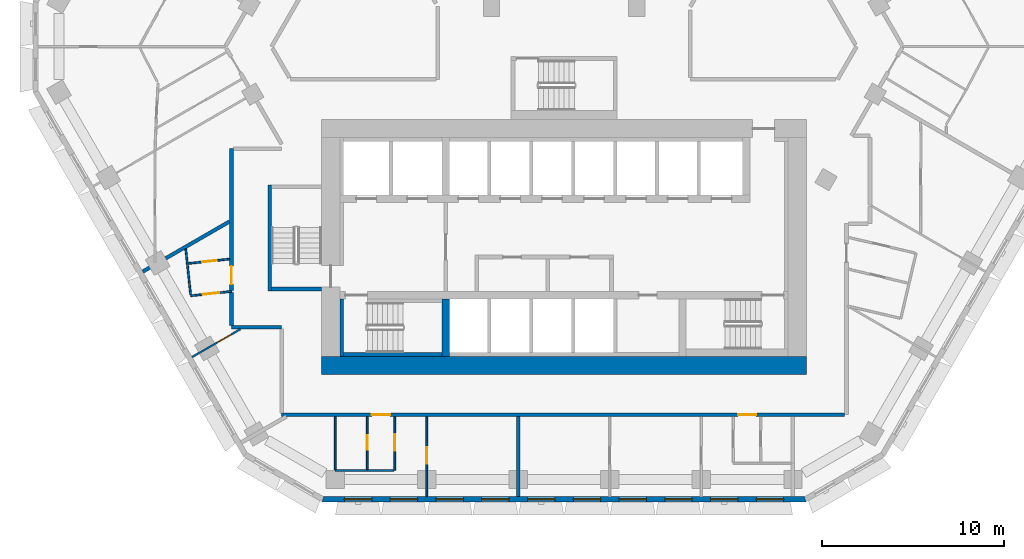
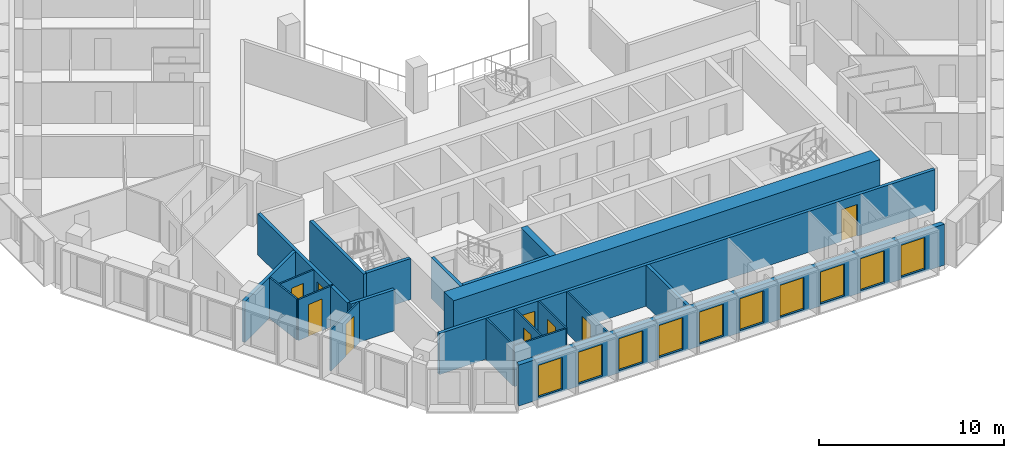
# One storey, part 3 of 18: 22 walls, 10 windows, 9 doors, 19 openings.
"""IFC4 building model written with IfcOpenShell, lengths in metres."""

from ifc_helpers import new_model, si_unit, direction, frame, frame_2d, origin, place, context, subcontext, project, spatial, polyline, rectangle, outline, extrude, material, layer, layer_set, type_object, element, fill, save


model = new_model("IFC4")

# Units and contexts
model_context = context("Model", 3, precision=1e-05, world=origin(), true_north=direction((0.0, 1.0)))
body_context = subcontext(model_context, "Body", "Model", "MODEL_VIEW")
ifc_project = project(units=[si_unit("LENGTHUNIT", "METRE"), si_unit("AREAUNIT", "SQUARE_METRE"), si_unit("VOLUMEUNIT", "CUBIC_METRE"), si_unit("PLANEANGLEUNIT", "RADIAN"), si_unit("MASSUNIT", "GRAM", prefix="KILO")], contexts=[model_context])

# Site, building, storey
site_placement = place(None, origin())
site = spatial("IfcSite", under=ifc_project, at=site_placement, CompositionType="ELEMENT")
building_placement = place(site_placement, origin())
building = spatial("IfcBuilding", under=site, at=building_placement, Name="Beryl Residences", CompositionType="ELEMENT")
storey_placement = place(building_placement, frame((0.0, 0.0, 75.0)))
storey = spatial("IfcBuildingStorey", under=building, at=storey_placement, Name="L22", CompositionType="ELEMENT", Elevation=75.0)

# Wall, openings, windows
ifc_material_1 = material(Name="Composite metal panel with mineral wool insulation")
ifc_layer_1 = layer(ifc_material_1, 0.300048828125)
ifc_layer_set_1 = layer_set([ifc_layer_1], Name="ES1 pale metal composite panel wall 300 mm")
wall_type_1 = type_object("IfcWallType", Name="ES1 pale metal composite panel wall 300 mm", PredefinedType="SOLIDWALL", material=ifc_layer_set_1)
wall_1_placement = place(storey_placement, frame((-13.279052734375, -25.85009765625, 0.0), z_axis=(0.0, 0.0, 1.0), x_axis=(1.0, 0.0, 0.0)))
wall_1 = element("IfcWall", 1, at=wall_1_placement, inside=storey, type_object=wall_type_1, Name="ES1 external wall L22 S", PredefinedType="SOLIDWALL", context=body_context, shape_type="SweptSolid", body=[
    extrude(outline(polyline([(0.0, -0.14990234375), (26.55810546875, -0.14990234375), (26.477783203125, 0.14990234375), (0.080322265625, 0.14990234375), (0.0, -0.14990234375)])), origin(), (0.0, 0.0, 1.0), 2.699951171875),
])
opening_1_placement = place(wall_1_placement, frame((1.22802734375, 0.0, 0.14990234375)))
opening_1 = element("IfcOpeningElement", 2, at=opening_1_placement, cuts=wall_1, Name="Opening W1", PredefinedType="OPENING", context=body_context, shape_type="SweptSolid", body=[
    extrude(rectangle(XDim=1.5, YDim=2.10009765625, at=frame_2d((0.75, 1.050048828125))), frame((0.0, 0.159912109375, 0.0), z_axis=(0.0, -1.0, 0.0), x_axis=(1.0, 0.0, 0.0)), (0.0, 0.0, 1.0), 0.320068359375),
])
opening_2_placement = place(wall_1_placement, frame((3.739013671875, 0.0, 0.14990234375)))
opening_2 = element("IfcOpeningElement", 3, at=opening_2_placement, cuts=wall_1, Name="Opening W1", PredefinedType="OPENING", context=body_context, shape_type="SweptSolid", body=[
    extrude(rectangle(XDim=1.5, YDim=2.10009765625, at=frame_2d((0.75, 1.050048828125))), frame((0.0, 0.159912109375, 0.0), z_axis=(0.0, -1.0, 0.0), x_axis=(1.0, 0.0, 0.0)), (0.0, 0.0, 1.0), 0.320068359375),
])
opening_3_placement = place(wall_1_placement, frame((6.2509765625, 0.0, 0.14990234375)))
opening_3 = element("IfcOpeningElement", 4, at=opening_3_placement, cuts=wall_1, Name="Opening W1", PredefinedType="OPENING", context=body_context, shape_type="SweptSolid", body=[
    extrude(rectangle(XDim=1.5, YDim=2.10009765625, at=frame_2d((0.75, 1.050048828125))), frame((0.0, 0.159912109375, 0.0), z_axis=(0.0, -1.0, 0.0), x_axis=(1.0, 0.0, 0.0)), (0.0, 0.0, 1.0), 0.320068359375),
])
opening_4_placement = place(wall_1_placement, frame((8.761962890625, 0.0, 0.14990234375)))
opening_4 = element("IfcOpeningElement", 5, at=opening_4_placement, cuts=wall_1, Name="Opening W1", PredefinedType="OPENING", context=body_context, shape_type="SweptSolid", body=[
    extrude(rectangle(XDim=1.5, YDim=2.10009765625, at=frame_2d((0.75, 1.050048828125))), frame((0.0, 0.159912109375, 0.0), z_axis=(0.0, -1.0, 0.0), x_axis=(1.0, 0.0, 0.0)), (0.0, 0.0, 1.0), 0.320068359375),
])
opening_5_placement = place(wall_1_placement, frame((11.27392578125, 0.0, 0.14990234375)))
opening_5 = element("IfcOpeningElement", 6, at=opening_5_placement, cuts=wall_1, Name="Opening W1", PredefinedType="OPENING", context=body_context, shape_type="SweptSolid", body=[
    extrude(rectangle(XDim=1.5, YDim=2.10009765625, at=frame_2d((0.75, 1.050048828125))), frame((0.0, 0.159912109375, 0.0), z_axis=(0.0, -1.0, 0.0), x_axis=(1.0, 0.0, 0.0)), (0.0, 0.0, 1.0), 0.320068359375),
])
opening_6_placement = place(wall_1_placement, frame((13.784912109375, 0.0, 0.14990234375)))
opening_6 = element("IfcOpeningElement", 7, at=opening_6_placement, cuts=wall_1, Name="Opening W1", PredefinedType="OPENING", context=body_context, shape_type="SweptSolid", body=[
    extrude(rectangle(XDim=1.5, YDim=2.10009765625, at=frame_2d((0.75, 1.050048828125))), frame((0.0, 0.159912109375, 0.0), z_axis=(0.0, -1.0, 0.0), x_axis=(1.0, 0.0, 0.0)), (0.0, 0.0, 1.0), 0.320068359375),
])
opening_7_placement = place(wall_1_placement, frame((16.297119140625, 0.0, 0.14990234375)))
opening_7 = element("IfcOpeningElement", 8, at=opening_7_placement, cuts=wall_1, Name="Opening W1", PredefinedType="OPENING", context=body_context, shape_type="SweptSolid", body=[
    extrude(rectangle(XDim=1.5, YDim=2.10009765625, at=frame_2d((0.75, 1.050048828125))), frame((0.0, 0.159912109375, 0.0), z_axis=(0.0, -1.0, 0.0), x_axis=(1.0, 0.0, 0.0)), (0.0, 0.0, 1.0), 0.320068359375),
])
opening_8_placement = place(wall_1_placement, frame((18.80810546875, 0.0, 0.14990234375)))
opening_8 = element("IfcOpeningElement", 9, at=opening_8_placement, cuts=wall_1, Name="Opening W1", PredefinedType="OPENING", context=body_context, shape_type="SweptSolid", body=[
    extrude(rectangle(XDim=1.5, YDim=2.10009765625, at=frame_2d((0.75, 1.050048828125))), frame((0.0, 0.159912109375, 0.0), z_axis=(0.0, -1.0, 0.0), x_axis=(1.0, 0.0, 0.0)), (0.0, 0.0, 1.0), 0.320068359375),
])
opening_9_placement = place(wall_1_placement, frame((21.320068359375, 0.0, 0.14990234375)))
opening_9 = element("IfcOpeningElement", 10, at=opening_9_placement, cuts=wall_1, Name="Opening W1", PredefinedType="OPENING", context=body_context, shape_type="SweptSolid", body=[
    extrude(rectangle(XDim=1.5, YDim=2.10009765625, at=frame_2d((0.75, 1.050048828125))), frame((0.0, 0.159912109375, 0.0), z_axis=(0.0, -1.0, 0.0), x_axis=(1.0, 0.0, 0.0)), (0.0, 0.0, 1.0), 0.320068359375),
])
opening_10_placement = place(wall_1_placement, frame((23.8310546875, 0.0, 0.14990234375)))
opening_10 = element("IfcOpeningElement", 11, at=opening_10_placement, cuts=wall_1, Name="Opening W1", PredefinedType="OPENING", context=body_context, shape_type="SweptSolid", body=[
    extrude(rectangle(XDim=1.5, YDim=2.10009765625, at=frame_2d((0.75, 1.050048828125))), frame((0.0, 0.159912109375, 0.0), z_axis=(0.0, -1.0, 0.0), x_axis=(1.0, 0.0, 0.0)), (0.0, 0.0, 1.0), 0.320068359375),
])
ifc_material_2 = material(Name="Aluminium and clear glass", Category="aluminium")
window_type = type_object("IfcWindowType", Name="W1 cell window 1500 x 2100 mm", PartitioningType="SINGLE_PANEL", PredefinedType="WINDOW", material=ifc_material_2)
window_1_placement = place(opening_1_placement, origin())
window_1 = element("IfcWindow", 12, at=window_1_placement, inside=storey, type_object=window_type, Name="W1 window L22 S 1", OverallHeight=2.10009765625, OverallWidth=1.5, PartitioningType="SINGLE_PANEL", PredefinedType="WINDOW", context=body_context, shape_type="SweptSolid", body=[
    extrude(rectangle(XDim=1.5, YDim=2.10009765625, at=frame_2d((0.75, 1.050048828125))), frame((0.0, 0.030029296875, 0.0), z_axis=(0.0, -1.0, 0.0), x_axis=(1.0, 0.0, 0.0)), (0.0, 0.0, 1.0), 0.06005859375),
])
fill(opening_1, window_1)
window_2_placement = place(opening_2_placement, origin())
window_2 = element("IfcWindow", 13, at=window_2_placement, inside=storey, type_object=window_type, Name="W1 window L22 S 2", OverallHeight=2.10009765625, OverallWidth=1.5, PartitioningType="SINGLE_PANEL", PredefinedType="WINDOW", context=body_context, shape_type="SweptSolid", body=[
    extrude(rectangle(XDim=1.5, YDim=2.10009765625, at=frame_2d((0.75, 1.050048828125))), frame((0.0, 0.030029296875, 0.0), z_axis=(0.0, -1.0, 0.0), x_axis=(1.0, 0.0, 0.0)), (0.0, 0.0, 1.0), 0.06005859375),
])
fill(opening_2, window_2)
window_3_placement = place(opening_3_placement, origin())
window_3 = element("IfcWindow", 14, at=window_3_placement, inside=storey, type_object=window_type, Name="W1 window L22 S 3", OverallHeight=2.10009765625, OverallWidth=1.5, PartitioningType="SINGLE_PANEL", PredefinedType="WINDOW", context=body_context, shape_type="SweptSolid", body=[
    extrude(rectangle(XDim=1.5, YDim=2.10009765625, at=frame_2d((0.75, 1.050048828125))), frame((0.0, 0.030029296875, 0.0), z_axis=(0.0, -1.0, 0.0), x_axis=(1.0, 0.0, 0.0)), (0.0, 0.0, 1.0), 0.06005859375),
])
fill(opening_3, window_3)
window_4_placement = place(opening_4_placement, origin())
window_4 = element("IfcWindow", 15, at=window_4_placement, inside=storey, type_object=window_type, Name="W1 window L22 S 4", OverallHeight=2.10009765625, OverallWidth=1.5, PartitioningType="SINGLE_PANEL", PredefinedType="WINDOW", context=body_context, shape_type="SweptSolid", body=[
    extrude(rectangle(XDim=1.5, YDim=2.10009765625, at=frame_2d((0.75, 1.050048828125))), frame((0.0, 0.030029296875, 0.0), z_axis=(0.0, -1.0, 0.0), x_axis=(1.0, 0.0, 0.0)), (0.0, 0.0, 1.0), 0.06005859375),
])
fill(opening_4, window_4)
window_5_placement = place(opening_5_placement, origin())
window_5 = element("IfcWindow", 16, at=window_5_placement, inside=storey, type_object=window_type, Name="W1 window L22 S 5", OverallHeight=2.10009765625, OverallWidth=1.5, PartitioningType="SINGLE_PANEL", PredefinedType="WINDOW", context=body_context, shape_type="SweptSolid", body=[
    extrude(rectangle(XDim=1.5, YDim=2.10009765625, at=frame_2d((0.75, 1.050048828125))), frame((0.0, 0.030029296875, 0.0), z_axis=(0.0, -1.0, 0.0), x_axis=(1.0, 0.0, 0.0)), (0.0, 0.0, 1.0), 0.06005859375),
])
fill(opening_5, window_5)
window_6_placement = place(opening_6_placement, origin())
window_6 = element("IfcWindow", 17, at=window_6_placement, inside=storey, type_object=window_type, Name="W1 window L22 S 6", OverallHeight=2.10009765625, OverallWidth=1.5, PartitioningType="SINGLE_PANEL", PredefinedType="WINDOW", context=body_context, shape_type="SweptSolid", body=[
    extrude(rectangle(XDim=1.5, YDim=2.10009765625, at=frame_2d((0.75, 1.050048828125))), frame((0.0, 0.030029296875, 0.0), z_axis=(0.0, -1.0, 0.0), x_axis=(1.0, 0.0, 0.0)), (0.0, 0.0, 1.0), 0.06005859375),
])
fill(opening_6, window_6)
window_7_placement = place(opening_7_placement, origin())
window_7 = element("IfcWindow", 18, at=window_7_placement, inside=storey, type_object=window_type, Name="W1 window L22 S 7", OverallHeight=2.10009765625, OverallWidth=1.5, PartitioningType="SINGLE_PANEL", PredefinedType="WINDOW", context=body_context, shape_type="SweptSolid", body=[
    extrude(rectangle(XDim=1.5, YDim=2.10009765625, at=frame_2d((0.75, 1.050048828125))), frame((0.0, 0.030029296875, 0.0), z_axis=(0.0, -1.0, 0.0), x_axis=(1.0, 0.0, 0.0)), (0.0, 0.0, 1.0), 0.06005859375),
])
fill(opening_7, window_7)
window_8_placement = place(opening_8_placement, origin())
window_8 = element("IfcWindow", 19, at=window_8_placement, inside=storey, type_object=window_type, Name="W1 window L22 S 8", OverallHeight=2.10009765625, OverallWidth=1.5, PartitioningType="SINGLE_PANEL", PredefinedType="WINDOW", context=body_context, shape_type="SweptSolid", body=[
    extrude(rectangle(XDim=1.5, YDim=2.10009765625, at=frame_2d((0.75, 1.050048828125))), frame((0.0, 0.030029296875, 0.0), z_axis=(0.0, -1.0, 0.0), x_axis=(1.0, 0.0, 0.0)), (0.0, 0.0, 1.0), 0.06005859375),
])
fill(opening_8, window_8)
window_9_placement = place(opening_9_placement, origin())
window_9 = element("IfcWindow", 20, at=window_9_placement, inside=storey, type_object=window_type, Name="W1 window L22 S 9", OverallHeight=2.10009765625, OverallWidth=1.5, PartitioningType="SINGLE_PANEL", PredefinedType="WINDOW", context=body_context, shape_type="SweptSolid", body=[
    extrude(rectangle(XDim=1.5, YDim=2.10009765625, at=frame_2d((0.75, 1.050048828125))), frame((0.0, 0.030029296875, 0.0), z_axis=(0.0, -1.0, 0.0), x_axis=(1.0, 0.0, 0.0)), (0.0, 0.0, 1.0), 0.06005859375),
])
fill(opening_9, window_9)
window_10_placement = place(opening_10_placement, origin())
window_10 = element("IfcWindow", 21, at=window_10_placement, inside=storey, type_object=window_type, Name="W1 window L22 S 10", OverallHeight=2.10009765625, OverallWidth=1.5, PartitioningType="SINGLE_PANEL", PredefinedType="WINDOW", context=body_context, shape_type="SweptSolid", body=[
    extrude(rectangle(XDim=1.5, YDim=2.10009765625, at=frame_2d((0.75, 1.050048828125))), frame((0.0, 0.030029296875, 0.0), z_axis=(0.0, -1.0, 0.0), x_axis=(1.0, 0.0, 0.0)), (0.0, 0.0, 1.0), 0.06005859375),
])
fill(opening_10, window_10)

# Wall
ifc_material_3 = material(Name="Gypsum board partition on steel studs", Category="steel")
ifc_layer_2 = layer(ifc_material_3, 0.10009765625)
ifc_layer_set_2 = layer_set([ifc_layer_2], Name="PT1 partition 100 mm gypsum board on steel studs")
wall_type_2 = type_object("IfcWallType", Name="PT1 partition 100 mm gypsum board on steel studs", PredefinedType="PARTITIONING", material=ifc_layer_set_2)
wall_2_placement = place(storey_placement, frame((-20.761962890625, -12.10205078125, 0.0), z_axis=(0.0, 0.0, 1.0), x_axis=(0.106118300401, -0.994353511745, 0.0)))
element("IfcWall", 22, at=wall_2_placement, inside=storey, type_object=wall_type_2, Name="Wall PT1 L22 010", PredefinedType="PARTITIONING", context=body_context, shape_type="SweptSolid", body=[
    extrude(rectangle(XDim=2.535400390625, YDim=0.10009765625, at=frame_2d((1.267578125, 0.0))), origin(), (0.0, 0.0, 1.0), 2.699951171875),
])

# Wall, opening, door
wall_3_placement = place(storey_placement, frame((-7.533935546875, -21.300048828125, 0.0), z_axis=(0.0, 0.0, 1.0), x_axis=(0.0, -1.0, 0.0)))
wall_3 = element("IfcWall", 23, at=wall_3_placement, inside=storey, type_object=wall_type_2, Name="Wall PT1 L22 014", PredefinedType="PARTITIONING", context=body_context, shape_type="SweptSolid", body=[
    extrude(rectangle(XDim=4.39990234375, YDim=0.10009765625, at=frame_2d((2.199951171875, 0.0))), origin(), (0.0, 0.0, 1.0), 2.699951171875),
])
opening_11_placement = place(wall_3_placement, frame((1.699951171875, 0.0, 0.0)))
opening_11 = element("IfcOpeningElement", 24, at=opening_11_placement, cuts=wall_3, Name="Opening D0632", PredefinedType="OPENING", context=body_context, shape_type="SweptSolid", body=[
    extrude(rectangle(XDim=0.89990234375, YDim=2.10009765625, at=frame_2d((0.449951171875, 1.050048828125))), frame((0.0, 0.06005859375, 0.0), z_axis=(0.0, -1.0, 0.0), x_axis=(1.0, 0.0, 0.0)), (0.0, 0.0, 1.0), 0.1201171875),
])
ifc_material_4 = material(Name="Timber door leaf", Category="wood")
door_type_1 = type_object("IfcDoorType", Name="D2 room door 900 x 2100 mm", OperationType="SINGLE_SWING_LEFT", PredefinedType="DOOR", material=ifc_material_4)
door_1_placement = place(opening_11_placement, origin())
door_1 = element("IfcDoor", 25, at=door_1_placement, inside=storey, type_object=door_type_1, Name="Door D0632 L22 001", OperationType="SINGLE_SWING_RIGHT", OverallHeight=2.10009765625, OverallWidth=0.89990234375, PredefinedType="DOOR", context=body_context, shape_type="SweptSolid", body=[
    extrude(rectangle(XDim=0.89990234375, YDim=2.10009765625, at=frame_2d((0.449951171875, 1.050048828125))), frame((0.0, 0.02490234375, 0.0), z_axis=(0.0, -1.0, 0.0), x_axis=(1.0, 0.0, 0.0)), (0.0, 0.0, 1.0), 0.050048828125),
])
fill(opening_11, door_1)

# Walls
wall_4_placement = place(storey_placement, frame((-12.556884765625, -21.300048828125, 0.0), z_axis=(0.0, 0.0, 1.0), x_axis=(0.0, -1.0, 0.0)))
element("IfcWall", 26, at=wall_4_placement, inside=storey, type_object=wall_type_2, Name="Wall PT1 L22 015", PredefinedType="PARTITIONING", context=body_context, shape_type="SweptSolid", body=[
    extrude(rectangle(XDim=2.908935546875, YDim=0.10009765625, at=frame_2d((1.45458984375, 0.0))), origin(), (0.0, 0.0, 1.0), 2.699951171875),
])
wall_5_placement = place(storey_placement, frame((-12.555908203125, -24.260009765625, 0.0), z_axis=(0.0, 0.0, 1.0), x_axis=(1.0, 0.0, 0.0)))
element("IfcWall", 27, at=wall_5_placement, inside=storey, type_object=wall_type_2, Name="Wall PT1 L22 035", PredefinedType="PARTITIONING", context=body_context, shape_type="SweptSolid", body=[
    extrude(rectangle(XDim=3.212890625, YDim=0.10009765625, at=frame_2d((1.6064453125, 0.0))), origin(), (0.0, 0.0, 1.0), 2.699951171875),
])

# Wall, opening, door
wall_6_placement = place(storey_placement, frame((-20.6259765625, -12.902099609375, 0.0), z_axis=(0.0, 0.0, 1.0), x_axis=(0.994385570266, 0.105817473257, 0.0)))
wall_6 = element("IfcWall", 28, at=wall_6_placement, inside=storey, type_object=wall_type_2, Name="Wall PT1 L22 038", PredefinedType="PARTITIONING", context=body_context, shape_type="SweptSolid", body=[
    extrude(rectangle(XDim=2.288818359375, YDim=0.10009765625, at=frame_2d((1.14453125, 0.0))), origin(), (0.0, 0.0, 1.0), 2.699951171875),
])
opening_12_placement = place(wall_6_placement, frame((0.77001953125, 0.0, 0.0)))
opening_12 = element("IfcOpeningElement", 29, at=opening_12_placement, cuts=wall_6, Name="Opening D0627", PredefinedType="OPENING", context=body_context, shape_type="SweptSolid", body=[
    extrude(rectangle(XDim=0.800048828125, YDim=2.10009765625, at=frame_2d((0.39990234375, 1.050048828125))), frame((0.0, 0.06005859375, 0.0), z_axis=(0.0, -1.0, 0.0), x_axis=(1.0, 0.0, 0.0)), (0.0, 0.0, 1.0), 0.1201171875),
])
ifc_material_5 = material(Name="Timber door leaf", Category="wood")
door_type_2 = type_object("IfcDoorType", Name="D3 bathroom door 800 x 2100 mm", OperationType="SINGLE_SWING_LEFT", PredefinedType="DOOR", material=ifc_material_5)
door_2_placement = place(opening_12_placement, origin())
door_2 = element("IfcDoor", 30, at=door_2_placement, inside=storey, type_object=door_type_2, Name="Door D0627 L22 001", OperationType="SINGLE_SWING_LEFT", OverallHeight=2.10009765625, OverallWidth=0.800048828125, PredefinedType="DOOR", context=body_context, shape_type="SweptSolid", body=[
    extrude(rectangle(XDim=0.800048828125, YDim=2.10009765625, at=frame_2d((0.39990234375, 1.050048828125))), frame((0.0, 0.02490234375, 0.0), z_axis=(0.0, -1.0, 0.0), x_axis=(1.0, 0.0, 0.0)), (0.0, 0.0, 1.0), 0.050048828125),
])
fill(opening_12, door_2)

wall_7_placement = place(storey_placement, frame((-20.487060546875, -14.674072265625, 0.0), z_axis=(0.0, 0.0, 1.0), x_axis=(0.994386484046, 0.105808885948, 0.0)))
wall_7 = element("IfcWall", 31, at=wall_7_placement, inside=storey, type_object=wall_type_2, Name="Wall PT1 L22 039", PredefinedType="PARTITIONING", context=body_context, shape_type="SweptSolid", body=[
    extrude(rectangle(XDim=2.249755859375, YDim=0.10009765625, at=frame_2d((1.125, 0.0))), origin(), (0.0, 0.0, 1.0), 2.699951171875),
])
opening_13_placement = place(wall_7_placement, frame((0.674072265625, 0.0, 0.0)))
opening_13 = element("IfcOpeningElement", 32, at=opening_13_placement, cuts=wall_7, Name="Opening D0626", PredefinedType="OPENING", context=body_context, shape_type="SweptSolid", body=[
    extrude(rectangle(XDim=0.89990234375, YDim=2.10009765625, at=frame_2d((0.449951171875, 1.050048828125))), frame((0.0, 0.06005859375, 0.0), z_axis=(0.0, -1.0, 0.0), x_axis=(1.0, 0.0, 0.0)), (0.0, 0.0, 1.0), 0.1201171875),
])
door_3_placement = place(opening_13_placement, origin())
door_3 = element("IfcDoor", 33, at=door_3_placement, inside=storey, type_object=door_type_1, Name="Door D0626 L22 001", OperationType="SINGLE_SWING_RIGHT", OverallHeight=2.10009765625, OverallWidth=0.89990234375, PredefinedType="DOOR", context=body_context, shape_type="SweptSolid", body=[
    extrude(rectangle(XDim=0.89990234375, YDim=2.10009765625, at=frame_2d((0.449951171875, 1.050048828125))), frame((0.0, 0.02490234375, 0.0), z_axis=(0.0, -1.0, 0.0), x_axis=(1.0, 0.0, 0.0)), (0.0, 0.0, 1.0), 0.050048828125),
])
fill(opening_13, door_3)

wall_8_placement = place(storey_placement, frame((-9.2919921875, -24.259033203125, 0.0), z_axis=(0.0, 0.0, 1.0), x_axis=(0.0, 1.0, 0.0)))
wall_8 = element("IfcWall", 34, at=wall_8_placement, inside=storey, type_object=wall_type_2, Name="Wall PT1 L22 062", PredefinedType="PARTITIONING", context=body_context, shape_type="SweptSolid", body=[
    extrude(rectangle(XDim=2.958984375, YDim=0.10009765625, at=frame_2d((1.4794921875, 0.0))), origin(), (0.0, 0.0, 1.0), 2.699951171875),
])
opening_14_placement = place(wall_8_placement, frame((1.0791015625, 0.0, 0.0)))
opening_14 = element("IfcOpeningElement", 35, at=opening_14_placement, cuts=wall_8, Name="Opening D0630", PredefinedType="OPENING", context=body_context, shape_type="SweptSolid", body=[
    extrude(rectangle(XDim=0.89990234375, YDim=2.10009765625, at=frame_2d((0.449951171875, 1.050048828125))), frame((0.0, 0.06005859375, 0.0), z_axis=(0.0, -1.0, 0.0), x_axis=(1.0, 0.0, 0.0)), (0.0, 0.0, 1.0), 0.1201171875),
])
door_4_placement = place(opening_14_placement, origin())
door_4 = element("IfcDoor", 36, at=door_4_placement, inside=storey, type_object=door_type_1, Name="Door D0630 L22 001", OperationType="SINGLE_SWING_RIGHT", OverallHeight=2.10009765625, OverallWidth=0.89990234375, PredefinedType="DOOR", context=body_context, shape_type="SweptSolid", body=[
    extrude(rectangle(XDim=0.89990234375, YDim=2.10009765625, at=frame_2d((0.449951171875, 1.050048828125))), frame((0.0, 0.02490234375, 0.0), z_axis=(0.0, -1.0, 0.0), x_axis=(1.0, 0.0, 0.0)), (0.0, 0.0, 1.0), 0.050048828125),
])
fill(opening_14, door_4)

wall_9_placement = place(storey_placement, frame((-10.799072265625, -24.2099609375, 0.0), z_axis=(0.0, 0.0, 1.0), x_axis=(0.0, 1.0, 0.0)))
wall_9 = element("IfcWall", 37, at=wall_9_placement, inside=storey, type_object=wall_type_2, Name="Wall PT1 L22 063", PredefinedType="PARTITIONING", context=body_context, shape_type="SweptSolid", body=[
    extrude(rectangle(XDim=2.909912109375, YDim=0.10009765625, at=frame_2d((1.455078125, 0.0))), origin(), (0.0, 0.0, 1.0), 2.699951171875),
])
opening_15_placement = place(wall_9_placement, frame((1.080078125, 0.0, 0.0)))
opening_15 = element("IfcOpeningElement", 38, at=opening_15_placement, cuts=wall_9, Name="Opening D0631", PredefinedType="OPENING", context=body_context, shape_type="SweptSolid", body=[
    extrude(rectangle(XDim=0.800048828125, YDim=2.10009765625, at=frame_2d((0.39990234375, 1.050048828125))), frame((0.0, 0.06005859375, 0.0), z_axis=(0.0, -1.0, 0.0), x_axis=(1.0, 0.0, 0.0)), (0.0, 0.0, 1.0), 0.1201171875),
])
door_5_placement = place(opening_15_placement, origin())
door_5 = element("IfcDoor", 39, at=door_5_placement, inside=storey, type_object=door_type_2, Name="Door D0631 L22 001", OperationType="SINGLE_SWING_LEFT", OverallHeight=2.10009765625, OverallWidth=0.800048828125, PredefinedType="DOOR", context=body_context, shape_type="SweptSolid", body=[
    extrude(rectangle(XDim=0.800048828125, YDim=2.10009765625, at=frame_2d((0.39990234375, 1.050048828125))), frame((0.0, 0.02490234375, 0.0), z_axis=(0.0, -1.0, 0.0), x_axis=(1.0, 0.0, 0.0)), (0.0, 0.0, 1.0), 0.050048828125),
])
fill(opening_15, door_5)

wall_10_placement = place(storey_placement, frame((-20.416015625, -18.0380859375, 0.0), z_axis=(0.0, 0.0, 1.0), x_axis=(0.866026989333, 0.499997253739, 0.0)))
wall_10 = element("IfcWall", 40, at=wall_10_placement, inside=storey, type_object=wall_type_2, Name="Wall PT1 L22 069", PredefinedType="PARTITIONING", context=body_context, shape_type="SweptSolid", body=[
    extrude(rectangle(XDim=3.076171875, YDim=0.10009765625, at=frame_2d((1.5380859375, 0.0))), origin(), (0.0, 0.0, 1.0), 2.699951171875),
])
opening_16_placement = place(wall_10_placement, frame((1.587890625, 0.0, 0.0)))
opening_16 = element("IfcOpeningElement", 41, at=opening_16_placement, cuts=wall_10, Name="Opening D0628", PredefinedType="OPENING", context=body_context, shape_type="SweptSolid", body=[
    extrude(rectangle(XDim=0.89990234375, YDim=2.10009765625, at=frame_2d((0.449951171875, 1.050048828125))), frame((0.0, 0.06005859375, 0.0), z_axis=(0.0, -1.0, 0.0), x_axis=(1.0, 0.0, 0.0)), (0.0, 0.0, 1.0), 0.1201171875),
])
door_6_placement = place(opening_16_placement, origin())
door_6 = element("IfcDoor", 42, at=door_6_placement, inside=storey, type_object=door_type_1, Name="Door D0628 L22 001", OperationType="SINGLE_SWING_RIGHT", OverallHeight=2.10009765625, OverallWidth=0.89990234375, PredefinedType="DOOR", context=body_context, shape_type="SweptSolid", body=[
    extrude(rectangle(XDim=0.89990234375, YDim=2.10009765625, at=frame_2d((0.449951171875, 1.050048828125))), frame((0.0, 0.02490234375, 0.0), z_axis=(0.0, -1.0, 0.0), x_axis=(1.0, 0.0, 0.0)), (0.0, 0.0, 1.0), 0.050048828125),
])
fill(opening_16, door_6)

# Walls
ifc_material_6 = material(Name="Acoustic double stud gypsum board wall")
ifc_layer_3 = layer(ifc_material_6, 0.199951171875)
ifc_layer_set_3 = layer_set([ifc_layer_3], Name="PT3 party wall 200 mm acoustic double stud")
wall_type_3 = type_object("IfcWallType", Name="PT3 party wall 200 mm acoustic double stud", PredefinedType="PARTITIONING", material=ifc_layer_set_3)
wall_11_placement = place(storey_placement, frame((-2.510986328125, -25.699951171875, 0.0), z_axis=(0.0, 0.0, 1.0), x_axis=(0.0, 1.0, 0.0)))
element("IfcWall", 43, at=wall_11_placement, inside=storey, type_object=wall_type_3, Name="Wall PT3 L22 008", PredefinedType="PARTITIONING", context=body_context, shape_type="SweptSolid", body=[
    extrude(rectangle(XDim=4.39990234375, YDim=0.199951171875, at=frame_2d((2.199951171875, 0.0))), origin(), (0.0, 0.0, 1.0), 2.699951171875),
])
wall_12_placement = place(storey_placement, frame((-23.123046875, -13.35009765625, 0.0), z_axis=(0.0, 0.0, 1.0), x_axis=(0.866013095437, 0.500021318078, 0.0)))
element("IfcWall", 44, at=wall_12_placement, inside=storey, type_object=wall_type_3, Name="Wall PT3 L22 011", PredefinedType="PARTITIONING", context=body_context, shape_type="SweptSolid", body=[
    extrude(rectangle(XDim=5.491943359375, YDim=0.199951171875, at=frame_2d((2.74609375, 0.0))), origin(), (0.0, 0.0, 1.0), 2.699951171875),
])
ifc_material_7 = material(Name="Double stud gypsum board wall")
ifc_layer_4 = layer(ifc_material_7, 0.199951171875)
ifc_layer_set_4 = layer_set([ifc_layer_4], Name="PT4 corridor wall 200 mm double stud")
wall_type_4 = type_object("IfcWallType", Name="PT4 corridor wall 200 mm double stud", PredefinedType="PARTITIONING", material=ifc_layer_set_4)
wall_13_placement = place(storey_placement, frame((-18.25, -14.486083984375, 0.0), z_axis=(0.0, 0.0, 1.0), x_axis=(0.0, -1.0, 0.0)))
element("IfcWall", 45, at=wall_13_placement, inside=storey, type_object=wall_type_4, Name="Wall PT4 L22 008", PredefinedType="PARTITIONING", context=body_context, shape_type="SweptSolid", body=[
    extrude(rectangle(XDim=1.81298828125, YDim=0.199951171875, at=frame_2d((0.906494140625, 0.0))), origin(), (0.0, 0.0, 1.0), 2.699951171875),
])
wall_14_placement = place(storey_placement, frame((-18.2490234375, -16.39990234375, 0.0), z_axis=(0.0, 0.0, 1.0), x_axis=(1.0, 0.0, 0.0)))
element("IfcWall", 46, at=wall_14_placement, inside=storey, type_object=wall_type_4, Name="Wall PT4 L22 015", PredefinedType="PARTITIONING", context=body_context, shape_type="SweptSolid", body=[
    extrude(rectangle(XDim=2.748046875, YDim=0.199951171875, at=frame_2d((1.3740234375, 0.0))), origin(), (0.0, 0.0, 1.0), 2.699951171875),
])

# Wall, openings, doors
wall_15_placement = place(storey_placement, frame((-15.4990234375, -21.199951171875, 0.0), z_axis=(0.0, 0.0, 1.0), x_axis=(1.0, 0.0, 0.0)))
wall_15 = element("IfcWall", 47, at=wall_15_placement, inside=storey, type_object=wall_type_4, Name="Wall PT4 L22 016", PredefinedType="PARTITIONING", context=body_context, shape_type="SweptSolid", body=[
    extrude(rectangle(XDim=30.89794921875, YDim=0.199951171875, at=frame_2d((15.448974609375, 0.0))), origin(), (0.0, 0.0, 1.0), 2.699951171875),
])
opening_17_placement = place(wall_15_placement, frame((4.9541015625, 0.0, 0.0)))
opening_17 = element("IfcOpeningElement", 48, at=opening_17_placement, cuts=wall_15, Name="Opening D0629", PredefinedType="OPENING", context=body_context, shape_type="SweptSolid", body=[
    extrude(rectangle(XDim=1.0, YDim=2.10009765625, at=frame_2d((0.5, 1.050048828125))), frame((0.0, 0.10986328125, 0.0), z_axis=(0.0, -1.0, 0.0), x_axis=(1.0, 0.0, 0.0)), (0.0, 0.0, 1.0), 0.219970703125),
])
opening_18_placement = place(wall_15_placement, frame((25.0458984375, 0.0, 0.0)))
opening_18 = element("IfcOpeningElement", 49, at=opening_18_placement, cuts=wall_15, Name="Opening D0633", PredefinedType="OPENING", context=body_context, shape_type="SweptSolid", body=[
    extrude(rectangle(XDim=1.0, YDim=2.10009765625, at=frame_2d((0.5, 1.050048828125))), frame((0.0, 0.10986328125, 0.0), z_axis=(0.0, -1.0, 0.0), x_axis=(1.0, 0.0, 0.0)), (0.0, 0.0, 1.0), 0.219970703125),
])
ifc_material_8 = material(Name="Timber door leaf", Category="wood")
door_type_3 = type_object("IfcDoorType", Name="D1 flat entrance door 1000 x 2100 mm", OperationType="SINGLE_SWING_LEFT", PredefinedType="DOOR", material=ifc_material_8)
door_7_placement = place(opening_17_placement, origin())
door_7 = element("IfcDoor", 50, at=door_7_placement, inside=storey, type_object=door_type_3, Name="Door D0629 L22 001", OperationType="SINGLE_SWING_LEFT", OverallHeight=2.10009765625, OverallWidth=1.0, PredefinedType="DOOR", context=body_context, shape_type="SweptSolid", body=[
    extrude(rectangle(XDim=1.0, YDim=2.10009765625, at=frame_2d((0.5, 1.050048828125))), frame((0.0, 0.02490234375, 0.0), z_axis=(0.0, -1.0, 0.0), x_axis=(1.0, 0.0, 0.0)), (0.0, 0.0, 1.0), 0.050048828125),
])
fill(opening_17, door_7)
door_8_placement = place(opening_18_placement, origin())
door_8 = element("IfcDoor", 51, at=door_8_placement, inside=storey, type_object=door_type_3, Name="Door D0633 L22 001", OperationType="SINGLE_SWING_LEFT", OverallHeight=2.10009765625, OverallWidth=1.0, PredefinedType="DOOR", context=body_context, shape_type="SweptSolid", body=[
    extrude(rectangle(XDim=1.0, YDim=2.10009765625, at=frame_2d((0.5, 1.050048828125))), frame((0.0, 0.02490234375, 0.0), z_axis=(0.0, -1.0, 0.0), x_axis=(1.0, 0.0, 0.0)), (0.0, 0.0, 1.0), 0.050048828125),
])
fill(opening_18, door_8)

# Wall, opening, door
wall_16_placement = place(storey_placement, frame((-18.25, -14.385986328125, 0.0), z_axis=(0.0, 0.0, 1.0), x_axis=(0.0, 1.0, 0.0)))
wall_16 = element("IfcWall", 52, at=wall_16_placement, inside=storey, type_object=wall_type_4, Name="Wall PT4 L22 033", PredefinedType="PARTITIONING", context=body_context, shape_type="SweptSolid", body=[
    extrude(rectangle(XDim=7.785888671875, YDim=0.199951171875, at=frame_2d((3.89306640625, 0.0))), origin(), (0.0, 0.0, 1.0), 2.699951171875),
])
opening_19_placement = place(wall_16_placement, frame((0.340087890625, 0.0, 0.0)))
opening_19 = element("IfcOpeningElement", 53, at=opening_19_placement, cuts=wall_16, Name="Opening D0625", PredefinedType="OPENING", context=body_context, shape_type="SweptSolid", body=[
    extrude(rectangle(XDim=1.0, YDim=2.10009765625, at=frame_2d((0.5, 1.050048828125))), frame((0.0, 0.10986328125, 0.0), z_axis=(0.0, -1.0, 0.0), x_axis=(1.0, 0.0, 0.0)), (0.0, 0.0, 1.0), 0.219970703125),
])
door_9_placement = place(opening_19_placement, origin())
door_9 = element("IfcDoor", 54, at=door_9_placement, inside=storey, type_object=door_type_3, Name="Door D0625 L22 001", OperationType="SINGLE_SWING_LEFT", OverallHeight=2.10009765625, OverallWidth=1.0, PredefinedType="DOOR", context=body_context, shape_type="SweptSolid", body=[
    extrude(rectangle(XDim=1.0, YDim=2.10009765625, at=frame_2d((0.5, 1.050048828125))), frame((0.0, 0.02490234375, 0.0), z_axis=(0.0, -1.0, 0.0), x_axis=(1.0, 0.0, 0.0)), (0.0, 0.0, 1.0), 0.050048828125),
])
fill(opening_19, door_9)

# Walls
ifc_material_9 = material(Name="Concrete C40/50", Category="concrete")
ifc_layer_5 = layer(ifc_material_9, 0.199951171875)
ifc_layer_set_5 = layer_set([ifc_layer_5], Name="PT5 stair enclosure wall 200 mm reinforced concrete C40/50")
wall_type_5 = type_object("IfcWallType", Name="PT5 stair enclosure wall 200 mm reinforced concrete C40/50", PredefinedType="SOLIDWALL", material=ifc_layer_set_5)
wall_17_placement = place(storey_placement, frame((-16.14990234375, -14.39990234375, 0.0), z_axis=(0.0, 0.0, 1.0), x_axis=(0.0, 1.0, 0.0)))
element("IfcWall", 55, at=wall_17_placement, inside=storey, type_object=wall_type_5, Name="Stair wall 01", PredefinedType="SOLIDWALL", context=body_context, shape_type="SweptSolid", body=[
    extrude(rectangle(XDim=5.7998046875, YDim=0.199951171875, at=frame_2d((2.89990234375, 0.0))), origin(), (0.0, 0.0, 1.0), 2.699951171875),
])
wall_18_placement = place(storey_placement, frame((-16.050048828125, -14.300048828125, 0.0), z_axis=(0.0, 0.0, 1.0), x_axis=(1.0, 0.0, 0.0)))
element("IfcWall", 56, at=wall_18_placement, inside=storey, type_object=wall_type_5, Name="Stair wall 02", PredefinedType="SOLIDWALL", context=body_context, shape_type="SweptSolid", body=[
    extrude(rectangle(XDim=2.75, YDim=0.199951171875, at=frame_2d((1.375, 0.0))), origin(), (0.0, 0.0, 1.0), 2.699951171875),
])
wall_19_placement = place(storey_placement, frame((-12.199951171875, -18.0, 0.0), z_axis=(0.0, 0.0, 1.0), x_axis=(0.0, 1.0, 0.0)))
element("IfcWall", 57, at=wall_19_placement, inside=storey, type_object=wall_type_5, Name="Stair wall 04", PredefinedType="SOLIDWALL", context=body_context, shape_type="SweptSolid", body=[
    extrude(rectangle(XDim=3.14990234375, YDim=0.199951171875, at=frame_2d((1.574951171875, 0.0))), origin(), (0.0, 0.0, 1.0), 2.699951171875),
])
wall_20_placement = place(storey_placement, frame((-12.10009765625, -17.89990234375, 0.0), z_axis=(0.0, 0.0, 1.0), x_axis=(1.0, 0.0, 0.0)))
element("IfcWall", 58, at=wall_20_placement, inside=storey, type_object=wall_type_5, Name="Stair wall 07", PredefinedType="SOLIDWALL", context=body_context, shape_type="SweptSolid", body=[
    extrude(rectangle(XDim=5.400146484375, YDim=0.199951171875, at=frame_2d((2.7001953125, 0.0))), origin(), (0.0, 0.0, 1.0), 2.699951171875),
])
ifc_material_10 = material(Name="Concrete C70/85", Category="concrete")
ifc_layer_6 = layer(ifc_material_10, 1.0)
ifc_layer_set_6 = layer_set([ifc_layer_6], Name="SW2 core outer wall 1000 mm C70/85")
wall_type_6 = type_object("IfcWallType", Name="SW2 core outer wall 1000 mm C70/85", PredefinedType="SHEAR", material=ifc_layer_set_6)
wall_21_placement = place(storey_placement, frame((-13.300048828125, -18.5, 0.0), z_axis=(0.0, 0.0, 1.0), x_axis=(1.0, 0.0, 0.0)))
element("IfcWall", 59, at=wall_21_placement, inside=storey, type_object=wall_type_6, Name="Core wall S L22", PredefinedType="SHEAR", context=body_context, shape_type="SweptSolid", body=[
    extrude(rectangle(XDim=26.60009765625, YDim=1.0, at=frame_2d((13.300048828125, 0.0))), origin(), (0.0, 0.0, 1.0), 2.699951171875),
])
ifc_material_11 = material(Name="Concrete C70/85", Category="concrete")
ifc_layer_7 = layer(ifc_material_11, 0.39990234375)
ifc_layer_set_7 = layer_set([ifc_layer_7], Name="SW7 core internal wall 400 mm C70/85")
wall_type_7 = type_object("IfcWallType", Name="SW7 core internal wall 400 mm C70/85", PredefinedType="SHEAR", material=ifc_layer_set_7)
wall_22_placement = place(storey_placement, frame((-6.5, -18.0, 0.0), z_axis=(0.0, 0.0, 1.0), x_axis=(0.0, 1.0, 0.0)))
element("IfcWall", 60, at=wall_22_placement, inside=storey, type_object=wall_type_7, Name="Core wall XS1 L22", PredefinedType="SHEAR", context=body_context, shape_type="SweptSolid", body=[
    extrude(rectangle(XDim=3.14990234375, YDim=0.39990234375, at=frame_2d((1.574951171875, 0.0))), origin(), (0.0, 0.0, 1.0), 2.699951171875),
])

save(model, "model.ifc")
